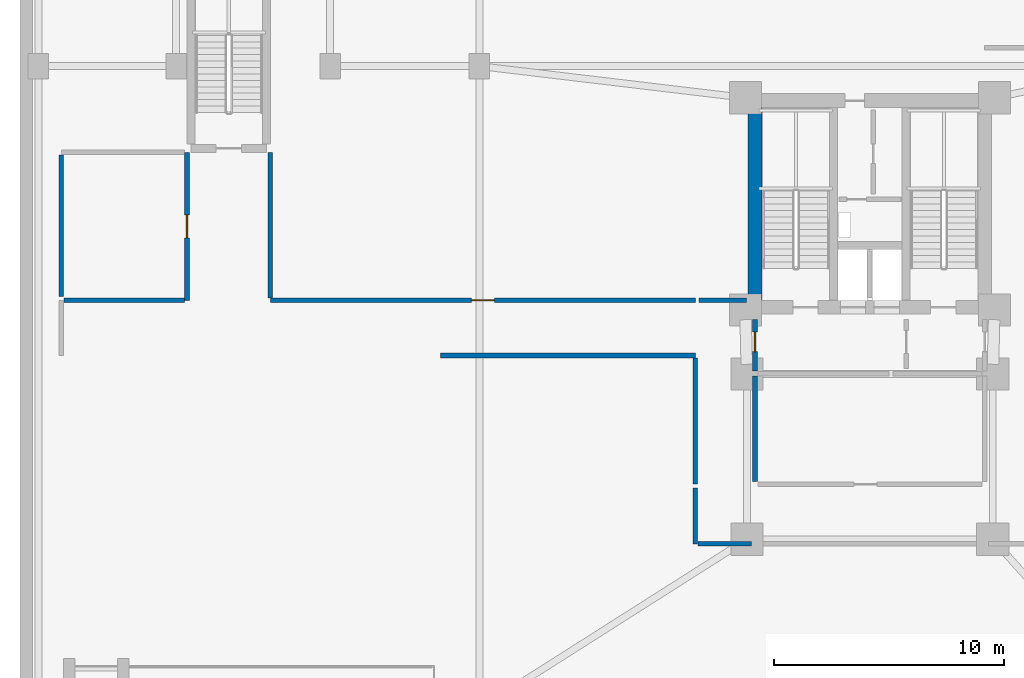
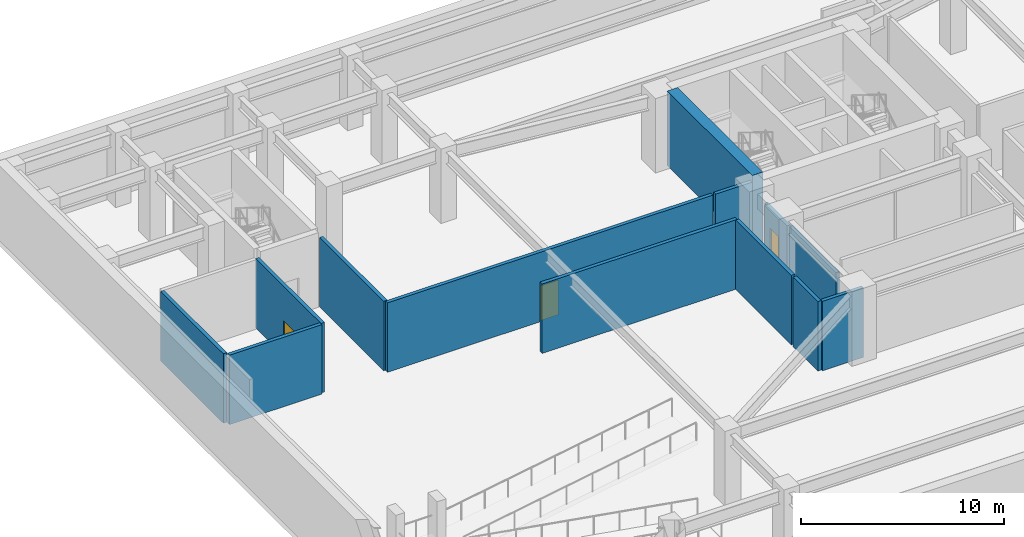
# One storey, part 3 of 8: 13 walls, 3 doors, 3 openings.
"""IFC4 building model written with IfcOpenShell, lengths in metres."""

from ifc_helpers import new_model, si_unit, direction, frame, frame_2d, origin, place, context, subcontext, project, spatial, rectangle, extrude, material, layer, layer_set, type_object, element, fill, save


model = new_model("IFC4")

# Units and contexts
model_context = context("Model", 3, precision=1e-05, world=origin(), true_north=direction((0.0, 1.0)))
body_context = subcontext(model_context, "Body", "Model", "MODEL_VIEW")
ifc_project = project(units=[si_unit("LENGTHUNIT", "METRE"), si_unit("AREAUNIT", "SQUARE_METRE"), si_unit("VOLUMEUNIT", "CUBIC_METRE"), si_unit("PLANEANGLEUNIT", "RADIAN"), si_unit("MASSUNIT", "GRAM", prefix="KILO")], contexts=[model_context])

# Site, building, storey
site_placement = place(None, origin())
site = spatial("IfcSite", under=ifc_project, at=site_placement, CompositionType="ELEMENT")
building_placement = place(site_placement, origin())
building = spatial("IfcBuilding", under=site, at=building_placement, Name="Varnakorn Sky Granary", CompositionType="ELEMENT")
storey_placement = place(building_placement, frame((0.0, 0.0, -9.0)))
storey = spatial("IfcBuildingStorey", under=building, at=storey_placement, Name="B02", CompositionType="ELEMENT", Elevation=-9.0)

# Wall
ifc_material_1 = material(Name="Concrete C60/75", Category="concrete")
ifc_layer_1 = layer(ifc_material_1, 0.60009765625, Name="Concrete C60/75")
ifc_layer_set_1 = layer_set([ifc_layer_1], Name="Concrete C60/75")
wall_type_1 = type_object("IfcWallType", Name="WT-CW-SHEAR-600", PredefinedType="SHEAR", material=ifc_layer_set_1)
wall_1_placement = place(storey_placement, frame((-2.0, 3.81005859375, 0.0), z_axis=(0.0, 0.0, 1.0), x_axis=(0.0, 1.0, 0.0)))
element("IfcWall", 1, at=wall_1_placement, inside=storey, type_object=wall_type_1, Name="Core West Shear Wall B02", PredefinedType="SHEAR", context=body_context, shape_type="SweptSolid", body=[
    extrude(rectangle(XDim=8.3798828125, YDim=0.60009765625, at=frame_2d((4.18994140625, 0.0))), origin(), (0.0, 0.0, 1.0), 4.491943359375),
])

# Wall, opening, door
ifc_material_2 = material(Name="Autoclaved Aerated Concrete Blockwork", Category="masonry")
ifc_layer_2 = layer(ifc_material_2, 0.199951171875, Name="Autoclaved Aerated Concrete Blockwork")
ifc_layer_set_2 = layer_set([ifc_layer_2], Name="Autoclaved Aerated Concrete Blockwork")
wall_type_2 = type_object("IfcWallType", Name="WT-FIRE-200", PredefinedType="MOVABLE", material=ifc_layer_set_2)
wall_2_placement = place(storey_placement, frame((-2.0, 0.719970703125, 0.0), z_axis=(0.0, 0.0, 1.0), x_axis=(0.0, 1.0, 0.0)))
wall_2 = element("IfcWall", 2, at=wall_2_placement, inside=storey, type_object=wall_type_2, Name="Interior Partition Wall B02-006", PredefinedType="MOVABLE", context=body_context, shape_type="SweptSolid", body=[
    extrude(rectangle(XDim=2.25, YDim=0.199951171875, at=frame_2d((1.125, 0.0))), origin(), (0.0, 0.0, 1.0), 3.261962890625),
])
opening_1_placement = place(wall_2_placement, frame((0.844970703125, 0.0, 0.0)))
opening_1 = element("IfcOpeningElement", 3, at=opening_1_placement, cuts=wall_2, Name="Opening FD-60N", PredefinedType="OPENING", context=body_context, shape_type="SweptSolid", body=[
    extrude(rectangle(XDim=0.85009765625, YDim=2.10009765625, at=frame_2d((0.425048828125, 1.050048828125))), frame((0.0, 0.10986328125, 0.0), z_axis=(0.0, -1.0, 0.0), x_axis=(1.0, 0.0, 0.0)), (0.0, 0.0, 1.0), 0.219970703125),
])
ifc_material_3 = material(Name="Acoustic Timber Fire Leaf", Category="wood")
door_type_1 = type_object("IfcDoorType", Name="DR-FD60-850", OperationType="NOTDEFINED", PredefinedType="DOOR", material=ifc_material_3)
door_1_placement = place(opening_1_placement, origin())
door_1 = element("IfcDoor", 4, at=door_1_placement, inside=storey, type_object=door_type_1, Name="Interior Door B02-006-1", OperationType="SINGLE_SWING_RIGHT", OverallHeight=2.10009765625, OverallWidth=0.85009765625, PredefinedType="DOOR", context=body_context, shape_type="SweptSolid", body=[
    extrude(rectangle(XDim=0.85009765625, YDim=2.10009765625, at=frame_2d((0.425048828125, 1.050048828125))), frame((0.0, 0.02490234375, 0.0), z_axis=(0.0, -1.0, 0.0), x_axis=(1.0, 0.0, 0.0)), (0.0, 0.0, 1.0), 0.050048828125),
])
fill(opening_1, door_1)

wall_3_placement = place(storey_placement, frame((-4.60009765625, 3.800048828125, 0.0), z_axis=(0.0, 0.0, 1.0), x_axis=(-1.0, 0.0, 0.0)))
wall_3 = element("IfcWall", 5, at=wall_3_placement, inside=storey, type_object=wall_type_2, Name="Interior Partition Wall B02-010", PredefinedType="MOVABLE", context=body_context, shape_type="SweptSolid", body=[
    extrude(rectangle(XDim=18.5, YDim=0.199951171875, at=frame_2d((9.25, 0.0))), origin(), (0.0, 0.0, 1.0), 4.179931640625),
])
opening_2_placement = place(wall_3_placement, frame((8.75, 0.0, 0.0)))
opening_2 = element("IfcOpeningElement", 6, at=opening_2_placement, cuts=wall_3, Name="Opening FD-60", PredefinedType="OPENING", context=body_context, shape_type="SweptSolid", body=[
    extrude(rectangle(XDim=1.0, YDim=2.10009765625, at=frame_2d((0.5, 1.050048828125))), frame((0.0, 0.10986328125, 0.0), z_axis=(0.0, -1.0, 0.0), x_axis=(1.0, 0.0, 0.0)), (0.0, 0.0, 1.0), 0.219970703125),
])
door_type_2 = type_object("IfcDoorType", Name="DR-FD60-1000", OperationType="NOTDEFINED", PredefinedType="DOOR", material=ifc_material_3)
door_2_placement = place(opening_2_placement, origin())
door_2 = element("IfcDoor", 7, at=door_2_placement, inside=storey, type_object=door_type_2, Name="Interior Door B02-010-1", OperationType="SINGLE_SWING_RIGHT", OverallHeight=2.10009765625, OverallWidth=1.0, PredefinedType="DOOR", context=body_context, shape_type="SweptSolid", body=[
    extrude(rectangle(XDim=1.0, YDim=2.10009765625, at=frame_2d((0.5, 1.050048828125))), frame((0.0, 0.02490234375, 0.0), z_axis=(0.0, -1.0, 0.0), x_axis=(1.0, 0.0, 0.0)), (0.0, 0.0, 1.0), 0.050048828125),
])
fill(opening_2, door_2)

wall_4_placement = place(storey_placement, frame((-26.72998046875, 10.25, 0.0), z_axis=(0.0, 0.0, 1.0), x_axis=(0.0, -1.0, 0.0)))
wall_4 = element("IfcWall", 8, at=wall_4_placement, inside=storey, type_object=wall_type_2, Name="Interior Partition Wall B02-013", PredefinedType="MOVABLE", context=body_context, shape_type="SweptSolid", body=[
    extrude(rectangle(XDim=6.449951171875, YDim=0.199951171875, at=frame_2d((3.22509765625, 0.0))), origin(), (0.0, 0.0, 1.0), 4.179931640625),
])
opening_3_placement = place(wall_4_placement, frame((2.72509765625, 0.0, 0.0)))
opening_3 = element("IfcOpeningElement", 9, at=opening_3_placement, cuts=wall_4, Name="Opening FD-60", PredefinedType="OPENING", context=body_context, shape_type="SweptSolid", body=[
    extrude(rectangle(XDim=1.0, YDim=2.10009765625, at=frame_2d((0.5, 1.050048828125))), frame((0.0, 0.10986328125, 0.0), z_axis=(0.0, -1.0, 0.0), x_axis=(1.0, 0.0, 0.0)), (0.0, 0.0, 1.0), 0.219970703125),
])
door_3_placement = place(opening_3_placement, origin())
door_3 = element("IfcDoor", 10, at=door_3_placement, inside=storey, type_object=door_type_2, Name="Interior Door B02-013-1", OperationType="SINGLE_SWING_LEFT", OverallHeight=2.10009765625, OverallWidth=1.0, PredefinedType="DOOR", context=body_context, shape_type="SweptSolid", body=[
    extrude(rectangle(XDim=1.0, YDim=2.10009765625, at=frame_2d((0.5, 1.050048828125))), frame((0.0, 0.02490234375, 0.0), z_axis=(0.0, -1.0, 0.0), x_axis=(1.0, 0.0, 0.0)), (0.0, 0.0, 1.0), 0.050048828125),
])
fill(opening_3, door_3)

# Walls
wall_5_placement = place(storey_placement, frame((-2.0, -4.090087890625, 0.0), z_axis=(0.0, 0.0, 1.0), x_axis=(0.0, 1.0, 0.0)))
element("IfcWall", 11, at=wall_5_placement, inside=storey, type_object=wall_type_2, Name="Interior Partition Wall B02-015", PredefinedType="MOVABLE", context=body_context, shape_type="SweptSolid", body=[
    extrude(rectangle(XDim=4.590087890625, YDim=0.199951171875, at=frame_2d((2.294921875, 0.0))), origin(), (0.0, 0.0, 1.0), 3.362060546875),
])
wall_6_placement = place(storey_placement, frame((-15.699951171875, 1.39990234375, 0.0), z_axis=(0.0, 0.0, 1.0), x_axis=(1.0, 0.0, 0.0)))
element("IfcWall", 12, at=wall_6_placement, inside=storey, type_object=wall_type_2, Name="Interior Partition Wall B02-017", PredefinedType="MOVABLE", context=body_context, shape_type="SweptSolid", body=[
    extrude(rectangle(XDim=11.099853515625, YDim=0.199951171875, at=frame_2d((5.5498046875, 0.0))), origin(), (0.0, 0.0, 1.0), 4.179931640625),
])
wall_7_placement = place(storey_placement, frame((-4.60009765625, 1.2900390625, 0.0), z_axis=(0.0, 0.0, 1.0), x_axis=(0.0, -1.0, 0.0)))
element("IfcWall", 13, at=wall_7_placement, inside=storey, type_object=wall_type_2, Name="Interior Partition Wall B02-019", PredefinedType="MOVABLE", context=body_context, shape_type="SweptSolid", body=[
    extrude(rectangle(XDim=5.489990234375, YDim=0.199951171875, at=frame_2d((2.7451171875, 0.0))), origin(), (0.0, 0.0, 1.0), 4.179931640625),
])
wall_8_placement = place(storey_placement, frame((-4.60009765625, -4.360107421875, 0.0), z_axis=(0.0, 0.0, 1.0), x_axis=(0.0, -1.0, 0.0)))
element("IfcWall", 14, at=wall_8_placement, inside=storey, type_object=wall_type_2, Name="Interior Partition Wall B02-021", PredefinedType="MOVABLE", context=body_context, shape_type="SweptSolid", body=[
    extrude(rectangle(XDim=2.43994140625, YDim=0.199951171875, at=frame_2d((1.219970703125, 0.0))), origin(), (0.0, 0.0, 1.0), 4.179931640625),
])
wall_9_placement = place(storey_placement, frame((-4.489990234375, -6.800048828125, 0.0), z_axis=(0.0, 0.0, 1.0), x_axis=(1.0, 0.0, 0.0)))
element("IfcWall", 15, at=wall_9_placement, inside=storey, type_object=wall_type_2, Name="Interior Partition Wall B02-022", PredefinedType="MOVABLE", context=body_context, shape_type="SweptSolid", body=[
    extrude(rectangle(XDim=2.330078125, YDim=0.199951171875, at=frame_2d((1.1650390625, 0.0))), origin(), (0.0, 0.0, 1.0), 4.179931640625),
])
wall_10_placement = place(storey_placement, frame((-23.10009765625, 3.909912109375, 0.0), z_axis=(0.0, 0.0, 1.0), x_axis=(0.0, 1.0, 0.0)))
element("IfcWall", 16, at=wall_10_placement, inside=storey, type_object=wall_type_2, Name="Interior Partition Wall B02-025", PredefinedType="MOVABLE", context=body_context, shape_type="SweptSolid", body=[
    extrude(rectangle(XDim=6.340087890625, YDim=0.199951171875, at=frame_2d((3.169921875, 0.0))), origin(), (0.0, 0.0, 1.0), 4.179931640625),
])
wall_11_placement = place(storey_placement, frame((-2.360107421875, 3.800048828125, 0.0), z_axis=(0.0, 0.0, 1.0), x_axis=(-1.0, 0.0, 0.0)))
element("IfcWall", 17, at=wall_11_placement, inside=storey, type_object=wall_type_2, Name="Interior Partition Wall B02-026", PredefinedType="MOVABLE", context=body_context, shape_type="SweptSolid", body=[
    extrude(rectangle(XDim=2.079833984375, YDim=0.199951171875, at=frame_2d((1.0400390625, 0.0))), origin(), (0.0, 0.0, 1.0), 4.179931640625),
])
wall_12_placement = place(storey_placement, frame((-26.840087890625, 3.800048828125, 0.0), z_axis=(0.0, 0.0, 1.0), x_axis=(-1.0, 0.0, 0.0)))
element("IfcWall", 18, at=wall_12_placement, inside=storey, type_object=wall_type_2, Name="Interior Partition Wall B02-032", PredefinedType="MOVABLE", context=body_context, shape_type="SweptSolid", body=[
    extrude(rectangle(XDim=5.25, YDim=0.199951171875, at=frame_2d((2.625, 0.0))), origin(), (0.0, 0.0, 1.0), 4.179931640625),
])
wall_13_placement = place(storey_placement, frame((-32.199951171875, 10.139892578125, 0.0), z_axis=(0.0, 0.0, 1.0), x_axis=(0.0, -1.0, 0.0)))
element("IfcWall", 19, at=wall_13_placement, inside=storey, type_object=wall_type_2, Name="Interior Partition Wall B02-035", PredefinedType="MOVABLE", context=body_context, shape_type="SweptSolid", body=[
    extrude(rectangle(XDim=6.179931640625, YDim=0.199951171875, at=frame_2d((3.08984375, 0.0))), origin(), (0.0, 0.0, 1.0), 4.179931640625),
])

save(model, "model.ifc")
